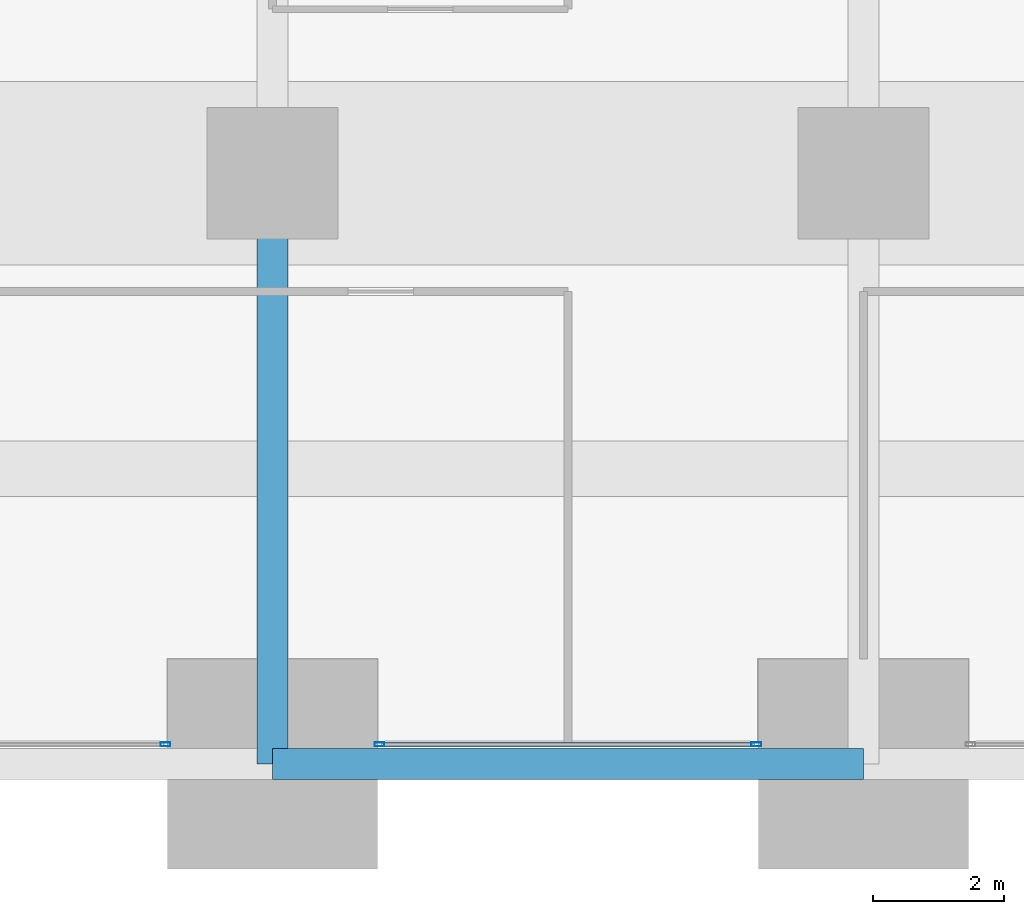
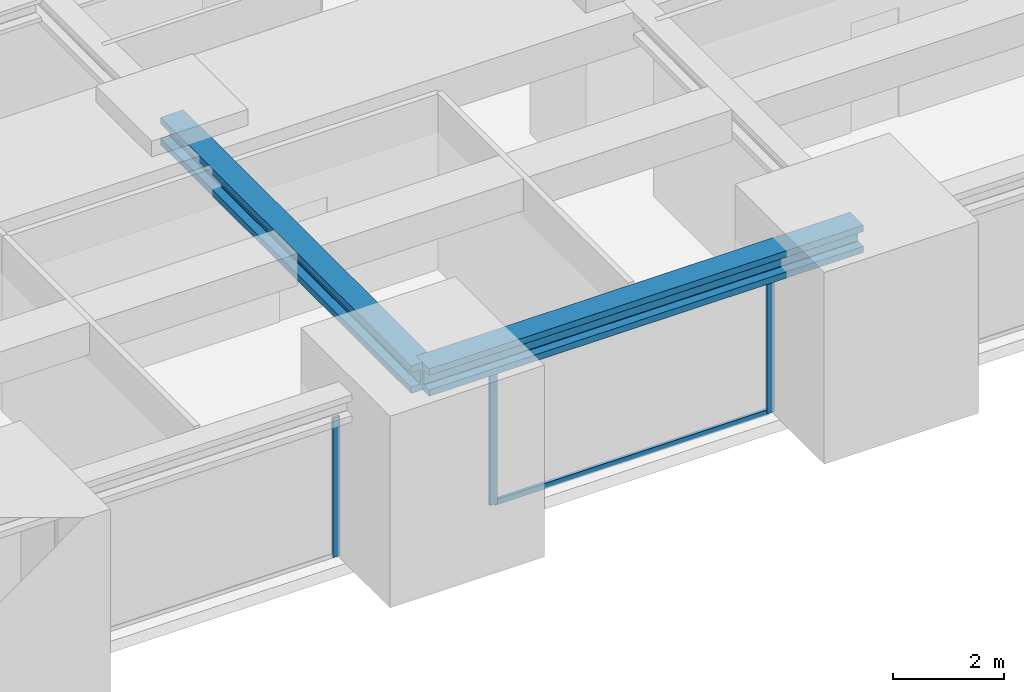
# One storey, part 14 of 45: 4 members, 2 beams, 2 elements without a shape of their own.
"""IFC4 building model written with IfcOpenShell, lengths in metres."""

from ifc_helpers import new_model, si_unit, direction, frame, origin, origin_2d, place, context, subcontext, project, spatial, hollow_rectangle, i_section, extrude, material, material_profile, profile_set, type_object, element, aggregate, save


model = new_model("IFC4")

# Units and contexts
model_context = context("Model", 3, precision=1e-05, world=origin(), true_north=direction((0.0, 1.0)))
body_context = subcontext(model_context, "Body", "Model", "MODEL_VIEW")
ifc_project = project(units=[si_unit("LENGTHUNIT", "METRE"), si_unit("AREAUNIT", "SQUARE_METRE"), si_unit("VOLUMEUNIT", "CUBIC_METRE"), si_unit("PLANEANGLEUNIT", "RADIAN"), si_unit("MASSUNIT", "GRAM", prefix="KILO")], contexts=[model_context])

# Site, building, storey
site_placement = place(None, origin())
site = spatial("IfcSite", under=ifc_project, at=site_placement, CompositionType="ELEMENT")
building_placement = place(site_placement, origin())
building = spatial("IfcBuilding", under=site, at=building_placement, Name="Zorevar Civic Tower", CompositionType="ELEMENT")
storey_placement = place(building_placement, frame((0.0, 0.0, 153.0)))
storey = spatial("IfcBuildingStorey", under=building, at=storey_placement, Name="L37", CompositionType="ELEMENT", Elevation=153.0)

# Beam
ifc_material_1 = material(Name="Steel S460M (HISTAR 460)", Category="steel")
ifc_material_profile_1 = material_profile(ifc_material_1, i_section(OverallWidth=0.47607421875, OverallDepth=0.60009765625, WebThickness=0.10009765625, FlangeThickness=0.139892578125, FilletRadius=0.014892578125, at=origin_2d()), Name="HD 400x1299")
ifc_profile_set_1 = profile_set([ifc_material_profile_1], Name="Steel S460M (HISTAR 460)")
beam_type_1 = type_object("IfcBeamType", Name="Belt chord HD 400x1299", PredefinedType="BEAM", material=ifc_profile_set_1)
beam_1_placement = place(storey_placement, frame((36.0, 0.0, 3.550048828125), z_axis=(1.0, 0.0, 0.0), x_axis=(0.0, 1.0, 0.0)))
element("IfcBeam", 1, at=beam_1_placement, inside=storey, type_object=beam_type_1, Name="Belt chord L38", PredefinedType="BEAM", context=body_context, shape_type="SweptSolid", body=[
    extrude(i_section(OverallWidth=0.47607421875, OverallDepth=0.60009765625, WebThickness=0.10009765625, FlangeThickness=0.139892578125, FilletRadius=0.014892578125, at=origin_2d()), origin(), (0.0, 0.0, 1.0), 9.0),
])

# Curtain wall, member
ifc_material_2 = material(Name="Dark grey solar-control glass in black aluminium frame", Category="aluminium")
curtain_wall_type = type_object("IfcCurtainWallType", Name="Curtain wall CW3 mid zone", PredefinedType="NOTDEFINED", material=ifc_material_2)
curtain_wall_1_placement = place(storey_placement, origin())
curtain_wall_1 = element("IfcCurtainWall", 2, at=curtain_wall_1_placement, inside=storey, type_object=curtain_wall_type, Name="CW3 L37", PredefinedType="NOTDEFINED")
ifc_material_3 = material(Name="Aluminium, black anodised", Category="aluminium")
ifc_material_profile_2 = material_profile(ifc_material_3, hollow_rectangle(XDim=0.06005859375, YDim=0.14990234375, WallThickness=0.00390625, at=origin_2d()), Name="AL 150x60x4")
ifc_profile_set_2 = profile_set([ifc_material_profile_2], Name="Aluminium, black anodised")
member_type_1 = type_object("IfcMemberType", Name="CW3 mullion AL 150x60x4", PredefinedType="MULLION", material=ifc_profile_set_2)
member_1_placement = place(storey_placement, frame((34.3701171875, 0.300048828125, 0.0), z_axis=(0.0, 0.0, 1.0), x_axis=(0.0, 1.0, 0.0)))
member_1 = element("IfcMember", 3, at=member_1_placement, type_object=member_type_1, Name="CW3 mullion 2", PredefinedType="MULLION", context=body_context, shape_type="SweptSolid", body=[
    extrude(hollow_rectangle(XDim=0.06005859375, YDim=0.14990234375, WallThickness=0.00390625, at=origin_2d()), origin(), (0.0, 0.0, 1.0), 3.050048828125),
])
aggregate(curtain_wall_1, [member_1])

# Curtain wall, members
curtain_wall_2_placement = place(storey_placement, origin())
curtain_wall_2 = element("IfcCurtainWall", 4, at=curtain_wall_2_placement, inside=storey, type_object=curtain_wall_type, Name="CW3 L37", PredefinedType="NOTDEFINED")
member_2_placement = place(storey_placement, frame((37.6298828125, 0.300048828125, 0.0), z_axis=(0.0, 0.0, 1.0), x_axis=(0.0, 1.0, 0.0)))
member_2 = element("IfcMember", 5, at=member_2_placement, type_object=member_type_1, Name="CW3 mullion 1", PredefinedType="MULLION", context=body_context, shape_type="SweptSolid", body=[
    extrude(hollow_rectangle(XDim=0.06005859375, YDim=0.14990234375, WallThickness=0.00390625, at=origin_2d()), origin(), (0.0, 0.0, 1.0), 3.050048828125),
])
member_3_placement = place(storey_placement, frame((43.3701171875, 0.300048828125, 0.0), z_axis=(0.0, 0.0, 1.0), x_axis=(0.0, 1.0, 0.0)))
member_3 = element("IfcMember", 6, at=member_3_placement, type_object=member_type_1, Name="CW3 mullion 2", PredefinedType="MULLION", context=body_context, shape_type="SweptSolid", body=[
    extrude(hollow_rectangle(XDim=0.06005859375, YDim=0.14990234375, WallThickness=0.00390625, at=origin_2d()), origin(), (0.0, 0.0, 1.0), 3.050048828125),
])
ifc_material_4 = material(Name="Aluminium, black anodised", Category="aluminium")
ifc_material_profile_3 = material_profile(ifc_material_4, hollow_rectangle(XDim=0.06005859375, YDim=0.1201171875, WallThickness=0.0029296875, at=origin_2d()), Name="AL 120x60x3")
ifc_profile_set_3 = profile_set([ifc_material_profile_3], Name="Aluminium, black anodised")
member_type_2 = type_object("IfcMemberType", Name="CW3 transom AL 120x60x3", PredefinedType="USERDEFINED", material=ifc_profile_set_3)
member_4_placement = place(storey_placement, frame((37.659912109375, 0.300048828125, 0.030029296875), z_axis=(1.0, 0.0, 0.0), x_axis=(0.0, 1.0, 0.0)))
member_4 = element("IfcMember", 7, at=member_4_placement, type_object=member_type_2, Name="CW3 sill transom", ObjectType="TRANSOM", PredefinedType="USERDEFINED", context=body_context, shape_type="SweptSolid", body=[
    extrude(hollow_rectangle(XDim=0.06005859375, YDim=0.1201171875, WallThickness=0.0029296875, at=origin_2d()), origin(), (0.0, 0.0, 1.0), 5.68017578125),
])
aggregate(curtain_wall_2, [member_2, member_3, member_4])

# Beam
ifc_material_5 = material(Name="Steel S460M (HISTAR 460)", Category="steel")
ifc_material_profile_4 = material_profile(ifc_material_5, i_section(OverallWidth=0.47607421875, OverallDepth=0.60009765625, WebThickness=0.10009765625, FlangeThickness=0.139892578125, FilletRadius=0.014892578125, at=origin_2d()), Name="HD 400x1299")
ifc_profile_set_4 = profile_set([ifc_material_profile_4], Name="Steel S460M (HISTAR 460)")
beam_type_2 = type_object("IfcBeamType", Name="Outrigger chord HD 400x1299", PredefinedType="BEAM", material=ifc_profile_set_4)
beam_2_placement = place(storey_placement, frame((36.0, 0.0, 3.550048828125), z_axis=(0.0, 1.0, 0.0), x_axis=(-1.0, 0.0, 0.0)))
element("IfcBeam", 8, at=beam_2_placement, inside=storey, type_object=beam_type_2, Name="Outrigger chord L38", PredefinedType="BEAM", context=body_context, shape_type="SweptSolid", body=[
    extrude(i_section(OverallWidth=0.47607421875, OverallDepth=0.60009765625, WebThickness=0.10009765625, FlangeThickness=0.139892578125, FilletRadius=0.014892578125, at=origin_2d()), origin(), (0.0, 0.0, 1.0), 9.0),
])

save(model, "model.ifc")
